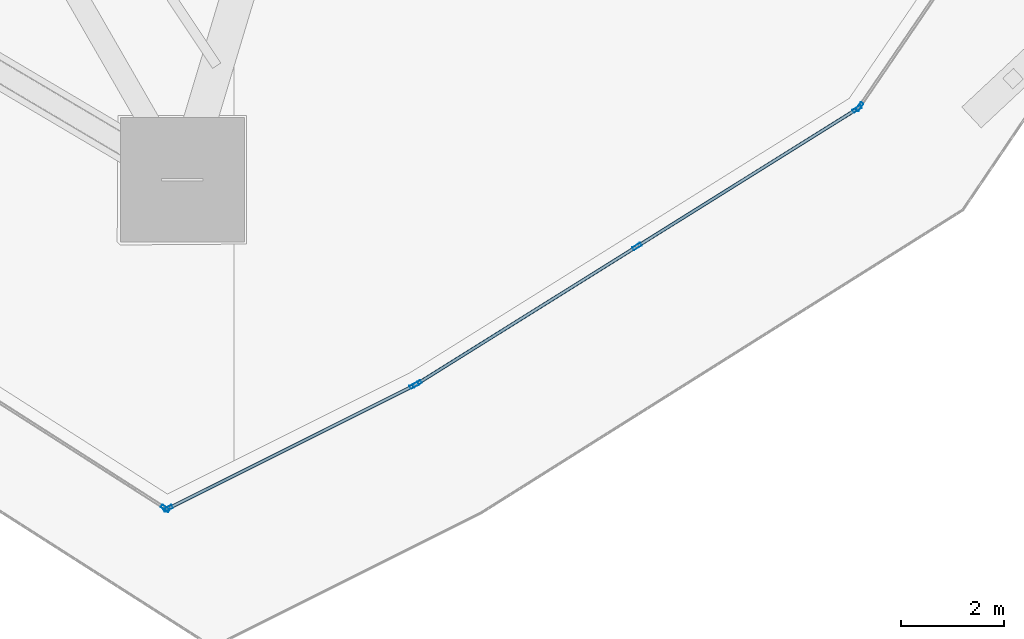
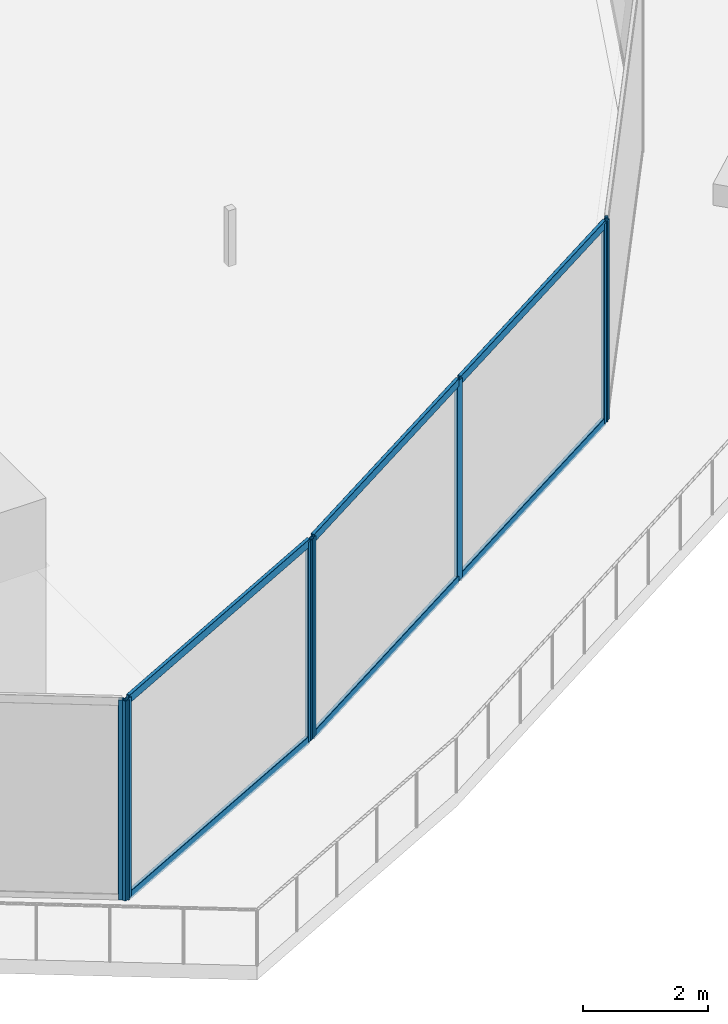
# One storey, part 10 of 43: 13 members, 4 elements without a shape of their own.
"""IFC4 building model written with IfcOpenShell, lengths in metres."""

from ifc_helpers import new_model, si_unit, direction, frame, origin, origin_2d, place, context, subcontext, project, spatial, hollow_rectangle, extrude, material, layer, layer_set, material_profile, profile_set, type_object, element, aggregate, save


model = new_model("IFC4")

# Units and contexts
model_context = context("Model", 3, precision=1e-05, world=origin(), true_north=direction((0.0, 1.0)))
body_context = subcontext(model_context, "Body", "Model", "MODEL_VIEW")
ifc_project = project(units=[si_unit("LENGTHUNIT", "METRE"), si_unit("AREAUNIT", "SQUARE_METRE"), si_unit("VOLUMEUNIT", "CUBIC_METRE"), si_unit("PLANEANGLEUNIT", "RADIAN"), si_unit("MASSUNIT", "GRAM", prefix="KILO")], contexts=[model_context])

# Site, building, storey
site_placement = place(None, origin())
site = spatial("IfcSite", under=ifc_project, at=site_placement, CompositionType="ELEMENT")
building_placement = place(site_placement, origin())
building = spatial("IfcBuilding", under=site, at=building_placement, Name="Qorvath Tower", CompositionType="ELEMENT")
storey_placement = place(building_placement, frame((0.0, 0.0, 36.60009765625)))
storey = spatial("IfcBuildingStorey", under=building, at=storey_placement, Name="L07", CompositionType="ELEMENT", Elevation=36.60009765625)

# Curtain wall, member
ifc_material_1 = material(Name="Anodised aluminium and triple low-E glass", Category="aluminium")
ifc_layer = layer(ifc_material_1, 0.179931640625)
ifc_layer_set = layer_set([ifc_layer], Name="CW-SYS-2")
curtain_wall_type = type_object("IfcCurtainWallType", Name="CW-SYS-2", PredefinedType="NOTDEFINED", material=ifc_layer_set)
curtain_wall_1_placement = place(storey_placement, origin())
curtain_wall_1 = element("IfcCurtainWall", 1, at=curtain_wall_1_placement, inside=storey, type_object=curtain_wall_type, Name="Curtain Wall CW-2 CW-T-L07-2.2", PredefinedType="NOTDEFINED")
ifc_material_2 = material(Name="Anodised aluminium 6063-T6", Category="aluminium")
ifc_material_profile_1 = material_profile(ifc_material_2, hollow_rectangle(XDim=0.06494140625, YDim=0.179931640625, WallThickness=0.00341796875, InnerFilletRadius=0.00341796875, OuterFilletRadius=0.007080078125, at=origin_2d()), Name="CWM 180x65")
ifc_profile_set_1 = profile_set([ifc_material_profile_1], Name="Anodised aluminium 6063-T6")
member_type_1 = type_object("IfcMemberType", Name="CWM-180", PredefinedType="MULLION", material=ifc_profile_set_1)
member_1_placement = place(storey_placement, frame((-14.79443359375, -33.68115234375, 0.0), z_axis=(0.0, 0.0, 1.0), x_axis=(0.538532593363, 0.842604679483, 0.0)))
member_1 = element("IfcMember", 2, at=member_1_placement, type_object=member_type_1, Name="CW-2 mullion 7", PredefinedType="MULLION", context=body_context, shape_type="SweptSolid", body=[
    extrude(hollow_rectangle(XDim=0.06494140625, YDim=0.179931640625, WallThickness=0.00341796875, InnerFilletRadius=0.00341796875, OuterFilletRadius=0.007080078125, at=origin_2d()), origin(), (0.0, 0.0, 1.0), 3.919921875),
])
aggregate(curtain_wall_1, [member_1])

# Curtain wall, members
curtain_wall_2_placement = place(storey_placement, origin())
curtain_wall_2 = element("IfcCurtainWall", 3, at=curtain_wall_2_placement, inside=storey, type_object=curtain_wall_type, Name="Curtain Wall CW-2 CW-T-L07-3.1", PredefinedType="NOTDEFINED")
member_2_placement = place(storey_placement, frame((-14.738037109375, -33.68408203125, 0.0), z_axis=(0.0, 0.0, 1.0), x_axis=(-0.447198732162, 0.894434622514, 0.0)))
member_2 = element("IfcMember", 4, at=member_2_placement, type_object=member_type_1, Name="CW-2 mullion 1", PredefinedType="MULLION", context=body_context, shape_type="SweptSolid", body=[
    extrude(hollow_rectangle(XDim=0.06494140625, YDim=0.179931640625, WallThickness=0.00341796875, InnerFilletRadius=0.00341796875, OuterFilletRadius=0.007080078125, at=origin_2d()), origin(), (0.0, 0.0, 1.0), 3.919921875),
])
member_3_placement = place(storey_placement, frame((-9.98193359375, -31.30615234375, 0.0), z_axis=(0.0, 0.0, 1.0), x_axis=(-0.447198732162, 0.894434622514, 0.0)))
member_3 = element("IfcMember", 5, at=member_3_placement, type_object=member_type_1, Name="CW-2 mullion 2", PredefinedType="MULLION", context=body_context, shape_type="SweptSolid", body=[
    extrude(hollow_rectangle(XDim=0.06494140625, YDim=0.179931640625, WallThickness=0.00341796875, InnerFilletRadius=0.00341796875, OuterFilletRadius=0.007080078125, at=origin_2d()), origin(), (0.0, 0.0, 1.0), 3.919921875),
])

curtain_wall_3_placement = place(storey_placement, origin())
curtain_wall_3 = element("IfcCurtainWall", 6, at=curtain_wall_3_placement, inside=storey, type_object=curtain_wall_type, Name="Curtain Wall CW-2 CW-T-L07-4.1", PredefinedType="NOTDEFINED")
member_4_placement = place(storey_placement, frame((-9.92529296875, -31.2744140625, 0.0), z_axis=(0.0, 0.0, 1.0), x_axis=(-0.529769187701, 0.848141855919, 0.0)))
member_4 = element("IfcMember", 7, at=member_4_placement, type_object=member_type_1, Name="CW-2 mullion 1", PredefinedType="MULLION", context=body_context, shape_type="SweptSolid", body=[
    extrude(hollow_rectangle(XDim=0.06494140625, YDim=0.179931640625, WallThickness=0.00341796875, InnerFilletRadius=0.00341796875, OuterFilletRadius=0.007080078125, at=origin_2d()), origin(), (0.0, 0.0, 1.0), 3.919921875),
])
member_5_placement = place(storey_placement, frame((-5.672119140625, -28.61767578125, 0.0), z_axis=(0.0, 0.0, 1.0), x_axis=(-0.529769187701, 0.848141855919, 0.0)))
member_5 = element("IfcMember", 8, at=member_5_placement, type_object=member_type_1, Name="CW-2 mullion 2", PredefinedType="MULLION", context=body_context, shape_type="SweptSolid", body=[
    extrude(hollow_rectangle(XDim=0.06494140625, YDim=0.179931640625, WallThickness=0.00341796875, InnerFilletRadius=0.00341796875, OuterFilletRadius=0.007080078125, at=origin_2d()), origin(), (0.0, 0.0, 1.0), 3.919921875),
])
member_6_placement = place(storey_placement, frame((-1.418701171875, -25.9609375, 0.0), z_axis=(0.0, 0.0, 1.0), x_axis=(-0.529769187701, 0.848141855919, 0.0)))
member_6 = element("IfcMember", 9, at=member_6_placement, type_object=member_type_1, Name="CW-2 mullion 3", PredefinedType="MULLION", context=body_context, shape_type="SweptSolid", body=[
    extrude(hollow_rectangle(XDim=0.06494140625, YDim=0.179931640625, WallThickness=0.00341796875, InnerFilletRadius=0.00341796875, OuterFilletRadius=0.007080078125, at=origin_2d()), origin(), (0.0, 0.0, 1.0), 3.919921875),
])

# Curtain wall, member
curtain_wall_4_placement = place(storey_placement, origin())
curtain_wall_4 = element("IfcCurtainWall", 10, at=curtain_wall_4_placement, inside=storey, type_object=curtain_wall_type, Name="Curtain Wall CW-2 CW-T-L07-5.1", PredefinedType="NOTDEFINED")
member_7_placement = place(storey_placement, frame((-1.372802734375, -25.9169921875, 0.0), z_axis=(0.0, 0.0, 1.0), x_axis=(-0.825864059494, 0.563869271406, 0.0)))
member_7 = element("IfcMember", 11, at=member_7_placement, type_object=member_type_1, Name="CW-2 mullion 1", PredefinedType="MULLION", context=body_context, shape_type="SweptSolid", body=[
    extrude(hollow_rectangle(XDim=0.06494140625, YDim=0.179931640625, WallThickness=0.00341796875, InnerFilletRadius=0.00341796875, OuterFilletRadius=0.007080078125, at=origin_2d()), origin(), (0.0, 0.0, 1.0), 3.919921875),
])
aggregate(curtain_wall_4, [member_7])

# Member
ifc_material_3 = material(Name="Anodised aluminium 6063-T6", Category="aluminium")
ifc_material_profile_2 = material_profile(ifc_material_3, hollow_rectangle(XDim=0.06494140625, YDim=0.159912109375, WallThickness=0.00341796875, InnerFilletRadius=0.00341796875, OuterFilletRadius=0.007080078125, at=origin_2d()), Name="CWT 160x65")
ifc_profile_set_2 = profile_set([ifc_material_profile_2], Name="Anodised aluminium 6063-T6")
member_type_2 = type_object("IfcMemberType", Name="CWT-160", PredefinedType="USERDEFINED", material=ifc_profile_set_2)
member_8_placement = place(storey_placement, frame((-14.708984375, -33.669677734375, 0.032470703125), z_axis=(0.894436487034, 0.447195002949, 0.0), x_axis=(-0.447195002949, 0.894436487034, 0.0)))
member_8 = element("IfcMember", 12, at=member_8_placement, type_object=member_type_2, Name="CW-2 transom 1.1", ObjectType="TRANSOM", PredefinedType="USERDEFINED", context=body_context, shape_type="SweptSolid", body=[
    extrude(hollow_rectangle(XDim=0.06494140625, YDim=0.159912109375, WallThickness=0.00341796875, InnerFilletRadius=0.00341796875, OuterFilletRadius=0.007080078125, at=origin_2d()), origin(), (0.0, 0.0, 1.0), 5.25244140625),
])

member_9_placement = place(storey_placement, frame((-14.708984375, -33.669677734375, 3.887451171875), z_axis=(0.894436487034, 0.447195002949, 0.0), x_axis=(-0.447195002949, 0.894436487034, 0.0)))
member_9 = element("IfcMember", 13, at=member_9_placement, type_object=member_type_2, Name="CW-2 transom 1.2", ObjectType="TRANSOM", PredefinedType="USERDEFINED", context=body_context, shape_type="SweptSolid", body=[
    extrude(hollow_rectangle(XDim=0.06494140625, YDim=0.159912109375, WallThickness=0.00341796875, InnerFilletRadius=0.00341796875, OuterFilletRadius=0.007080078125, at=origin_2d()), origin(), (0.0, 0.0, 1.0), 5.25244140625),
])

aggregate(curtain_wall_2, [member_2, member_3, member_8, member_9])

member_10_placement = place(storey_placement, frame((-9.897705078125, -31.25732421875, 0.032470703125), z_axis=(0.848142359621, 0.529768381292, 0.0), x_axis=(-0.529768381292, 0.848142359621, 0.0)))
member_10 = element("IfcMember", 14, at=member_10_placement, type_object=member_type_2, Name="CW-2 transom 1.1", ObjectType="TRANSOM", PredefinedType="USERDEFINED", context=body_context, shape_type="SweptSolid", body=[
    extrude(hollow_rectangle(XDim=0.06494140625, YDim=0.159912109375, WallThickness=0.00341796875, InnerFilletRadius=0.00341796875, OuterFilletRadius=0.007080078125, at=origin_2d()), origin(), (0.0, 0.0, 1.0), 4.949951171875),
])

member_11_placement = place(storey_placement, frame((-9.897705078125, -31.25732421875, 3.887451171875), z_axis=(0.848142359621, 0.529768381292, 0.0), x_axis=(-0.529768381292, 0.848142359621, 0.0)))
member_11 = element("IfcMember", 15, at=member_11_placement, type_object=member_type_2, Name="CW-2 transom 1.2", ObjectType="TRANSOM", PredefinedType="USERDEFINED", context=body_context, shape_type="SweptSolid", body=[
    extrude(hollow_rectangle(XDim=0.06494140625, YDim=0.159912109375, WallThickness=0.00341796875, InnerFilletRadius=0.00341796875, OuterFilletRadius=0.007080078125, at=origin_2d()), origin(), (0.0, 0.0, 1.0), 4.949951171875),
])

member_12_placement = place(storey_placement, frame((-5.64453125, -28.6005859375, 0.032470703125), z_axis=(0.848142359621, 0.529768381292, 0.0), x_axis=(-0.529768381292, 0.848142359621, 0.0)))
member_12 = element("IfcMember", 16, at=member_12_placement, type_object=member_type_2, Name="CW-2 transom 2.1", ObjectType="TRANSOM", PredefinedType="USERDEFINED", context=body_context, shape_type="SweptSolid", body=[
    extrude(hollow_rectangle(XDim=0.06494140625, YDim=0.159912109375, WallThickness=0.00341796875, InnerFilletRadius=0.00341796875, OuterFilletRadius=0.007080078125, at=origin_2d()), origin(), (0.0, 0.0, 1.0), 4.949951171875),
])

member_13_placement = place(storey_placement, frame((-5.64453125, -28.6005859375, 3.887451171875), z_axis=(0.848142359621, 0.529768381292, 0.0), x_axis=(-0.529768381292, 0.848142359621, 0.0)))
member_13 = element("IfcMember", 17, at=member_13_placement, type_object=member_type_2, Name="CW-2 transom 2.2", ObjectType="TRANSOM", PredefinedType="USERDEFINED", context=body_context, shape_type="SweptSolid", body=[
    extrude(hollow_rectangle(XDim=0.06494140625, YDim=0.159912109375, WallThickness=0.00341796875, InnerFilletRadius=0.00341796875, OuterFilletRadius=0.007080078125, at=origin_2d()), origin(), (0.0, 0.0, 1.0), 4.949951171875),
])

aggregate(curtain_wall_3, [member_4, member_5, member_6, member_10, member_11, member_12, member_13])

save(model, "model.ifc")
